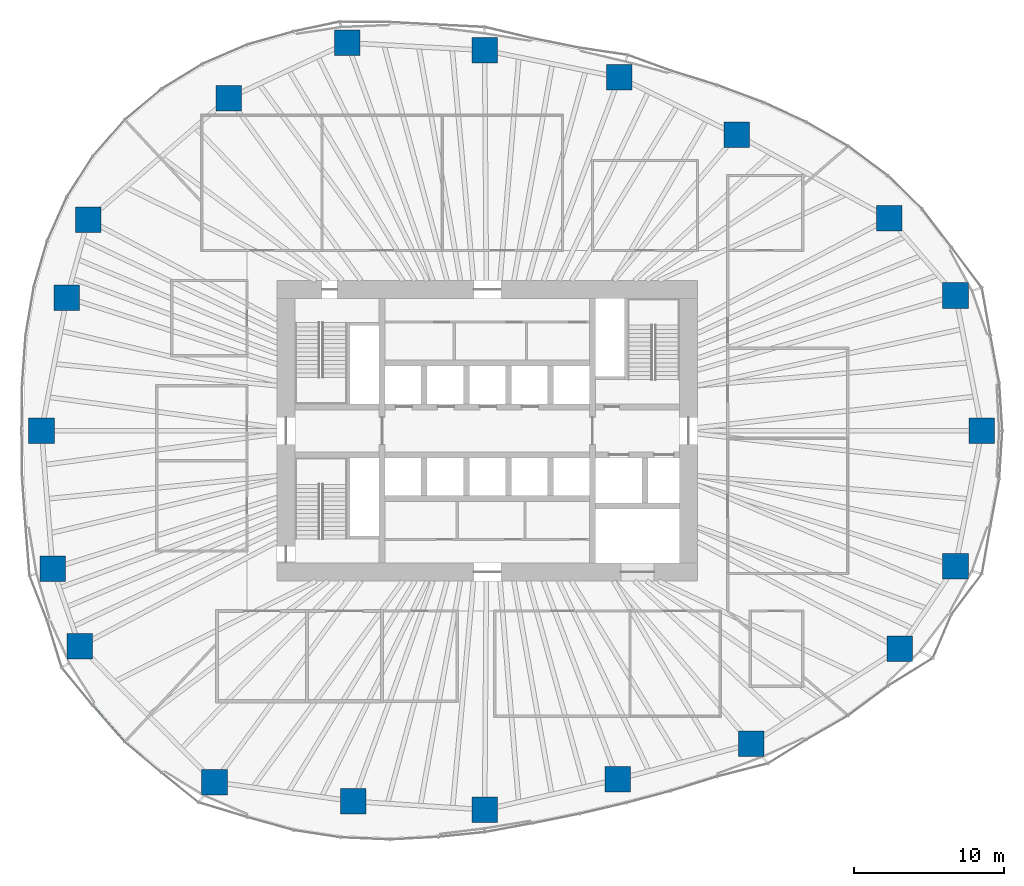
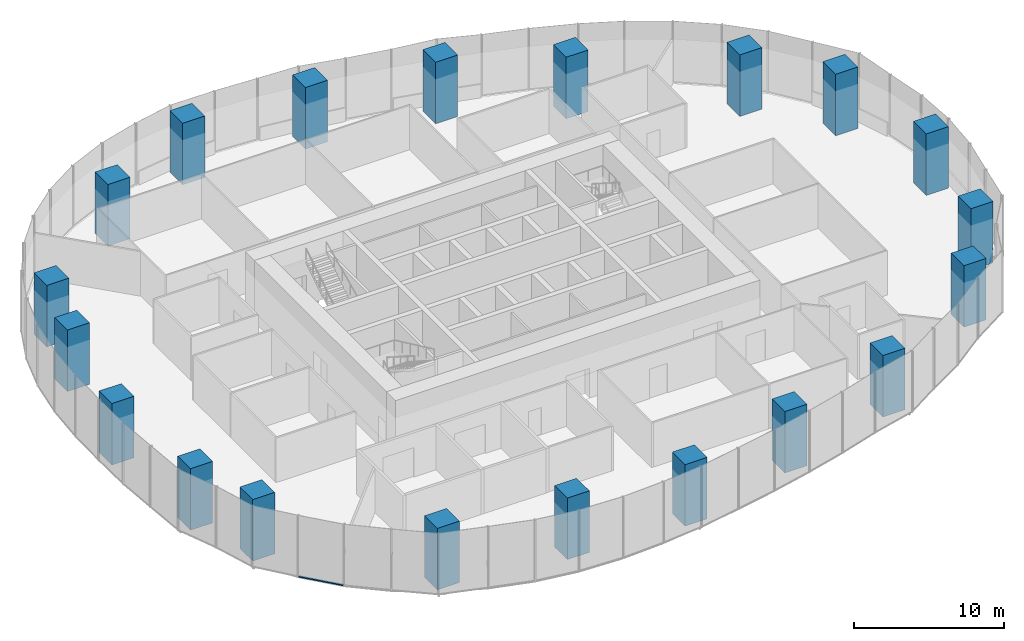
# One storey, part 1 of 20: 20 columns, 1 member, 1 element without a shape of its own.
"""IFC4 building model written with IfcOpenShell, lengths in metres."""

from ifc_helpers import new_model, si_unit, direction, frame, origin, origin_2d, place, context, subcontext, project, spatial, rectangle, extrude, material, material_profile, profile_set, type_object, element, aggregate, save


model = new_model("IFC4")

# Units and contexts
model_context = context("Model", 3, precision=1e-05, world=origin(), true_north=direction((0.0, 1.0)))
body_context = subcontext(model_context, "Body", "Model", "MODEL_VIEW")
ifc_project = project(units=[si_unit("LENGTHUNIT", "METRE"), si_unit("AREAUNIT", "SQUARE_METRE"), si_unit("VOLUMEUNIT", "CUBIC_METRE"), si_unit("PLANEANGLEUNIT", "RADIAN"), si_unit("MASSUNIT", "GRAM", prefix="KILO")], contexts=[model_context])

# Site, building, storey
site_placement = place(None, origin())
site = spatial("IfcSite", under=ifc_project, at=site_placement, CompositionType="ELEMENT")
building_placement = place(site_placement, origin())
building = spatial("IfcBuilding", under=site, at=building_placement, Name="Ghaith Harvest Tower", CompositionType="ELEMENT")
storey_placement = place(building_placement, frame((0.0, 0.0, 60.0)))
storey = spatial("IfcBuildingStorey", under=building, at=storey_placement, Name="L12", CompositionType="ELEMENT", Elevation=60.0)

# Columns
ifc_material_1 = material(Name="Concrete C70/85", Category="concrete")
ifc_material_profile_1 = material_profile(ifc_material_1, rectangle(XDim=1.699951171875, YDim=1.699951171875, at=origin_2d()), Name="RC1700X1700")
ifc_profile_set_1 = profile_set([ifc_material_profile_1], Name="Concrete C70/85")
column_type = type_object("IfcColumnType", Name="TC2 RC1700X1700", PredefinedType="COLUMN", material=ifc_profile_set_1)
for number, where, z_axis, x_axis, name in (
    (1, (32.925048828125, 0.0, 0.0), (0.0, 0.0, 1.0), (1.0, 0.0, 0.0), "Perimeter column C01"),
    (2, (31.166015625, 9.008056640625, 0.0), (0.0, 0.0, 1.0), (1.0, 0.0, 0.0), "Perimeter column C02"),
    (3, (26.763916015625, 14.14697265625, 0.0), (0.0, 0.0, 1.0), (1.0, 0.0, 0.0), "Perimeter column C03"),
    (4, (16.60791015625, 19.695068359375, 0.0), (0.0, 0.0, 1.0), (1.0, 0.0, 0.0), "Perimeter column C04"),
    (5, (8.794921875, 23.527099609375, 0.0), (0.0, 0.0, 1.0), (1.0, 0.0, 0.0), "Perimeter column C05"),
    (6, (-0.173095703125, 25.326904296875, 0.0), (0.0, 0.0, 1.0), (1.0, 0.0, 0.0), "Perimeter column C06"),
    (7, (-9.325927734375, 25.821044921875, 0.0), (0.0, 0.0, 1.0), (1.0, 0.0, 0.0), "Perimeter column C07"),
    (8, (-17.201904296875, 22.14990234375, 0.0), (0.0, 0.0, 1.0), (1.0, 0.0, 0.0), "Perimeter column C08"),
    (9, (-26.572998046875, 14.0458984375, 0.0), (0.0, 0.0, 1.0), (1.0, 0.0, 0.0), "Perimeter column C09"),
    (10, (-27.98291015625, 8.867919921875, 0.0), (0.0, 0.0, 1.0), (1.0, 0.0, 0.0), "Perimeter column C10"),
    (11, (-29.675048828125, 0.0, 0.0), (0.0, 0.0, 1.0), (1.0, 0.0, 0.0), "Perimeter column C11"),
    (12, (-28.929931640625, -9.16796875, 0.0), (0.0, 0.0, 1.0), (1.0, 0.0, 0.0), "Perimeter column C12"),
    (13, (-27.132080078125, -14.341064453125, 0.0), (0.0, 0.0, 1.0), (1.0, 0.0, 0.0), "Perimeter column C13"),
    (14, (-18.157958984375, -23.3798828125, 0.0), (0.0, 0.0, 1.0), (1.0, 0.0, 0.0), "Perimeter column C14"),
    (15, (-8.908935546875, -24.66796875, 0.0), (0.0, 0.0, 1.0), (1.0, 0.0, 0.0), "Perimeter column C15"),
    (16, (-0.173095703125, -25.22412109375, 0.0), (0.0, 0.0, 1.0), (1.0, 0.0, 0.0), "Perimeter column C16"),
    (17, (8.674072265625, -23.202880859375, 0.0), (0.0, 0.0, 1.0), (1.0, 0.0, 0.0), "Perimeter column C17"),
    (18, (17.572021484375, -20.8369140625, 0.0), (0.0, 0.0, 1.0), (1.0, 0.0, 0.0), "Perimeter column C18"),
    (19, (27.448974609375, -14.509033203125, 0.0), (0.0, 0.0, 1.0), (1.0, 0.0, 0.0), "Perimeter column C19"),
    (20, (31.166015625, -9.008056640625, 0.0), (0.0, 0.0, 1.0), (1.0, 0.0, 0.0), "Perimeter column C20"),
):
    element("IfcColumn", number, at=place(storey_placement, frame(where, z_axis=z_axis, x_axis=x_axis)), inside=storey, type_object=column_type, Name=name, PredefinedType="COLUMN", context=body_context, shape_type="SweptSolid", body=[
        extrude(rectangle(XDim=1.699951171875, YDim=1.699951171875, at=origin_2d()), origin(), (0.0, 0.0, 1.0), 5.0),
    ])

# Curtain wall, member
ifc_material_2 = material(Name="Black anodised aluminium and fritted glass", Category="aluminium")
curtain_wall_type = type_object("IfcCurtainWallType", Name="CW-F CURTAIN WALL", PredefinedType="NOTDEFINED", material=ifc_material_2)
curtain_wall_placement = place(storey_placement, origin())
curtain_wall = element("IfcCurtainWall", 21, at=curtain_wall_placement, inside=storey, type_object=curtain_wall_type, Name="Curtain wall CW-F bay 13 L12", PredefinedType="NOTDEFINED")
ifc_material_3 = material(Name="Aluminium, black anodised", Category="aluminium")
ifc_material_profile_2 = material_profile(ifc_material_3, rectangle(XDim=0.139892578125, YDim=0.080078125, at=origin_2d()), Name="CW-F TRANSOM 140x80")
ifc_profile_set_2 = profile_set([ifc_material_profile_2], Name="Aluminium, black anodised")
member_type = type_object("IfcMemberType", Name="CW-F TRANSOM 140x80", PredefinedType="USERDEFINED", material=ifc_profile_set_2)
member_placement = place(storey_placement, frame((-26.23681640625, -18.30419921875, 0.0400390625), z_axis=(0.65923052982, -0.751940894322, 0.0), x_axis=(0.751940894322, 0.65923052982, 0.0)))
member = element("IfcMember", 22, at=member_placement, type_object=member_type, Name="CW-F transom 1 bay 13 L12", ObjectType="TRANSOM", PredefinedType="USERDEFINED", context=body_context, shape_type="SweptSolid", body=[
    extrude(rectangle(XDim=0.139892578125, YDim=0.080078125, at=origin_2d()), origin(), (0.0, 0.0, 1.0), 3.1416015625),
])
aggregate(curtain_wall, [member])

save(model, "model.ifc")
